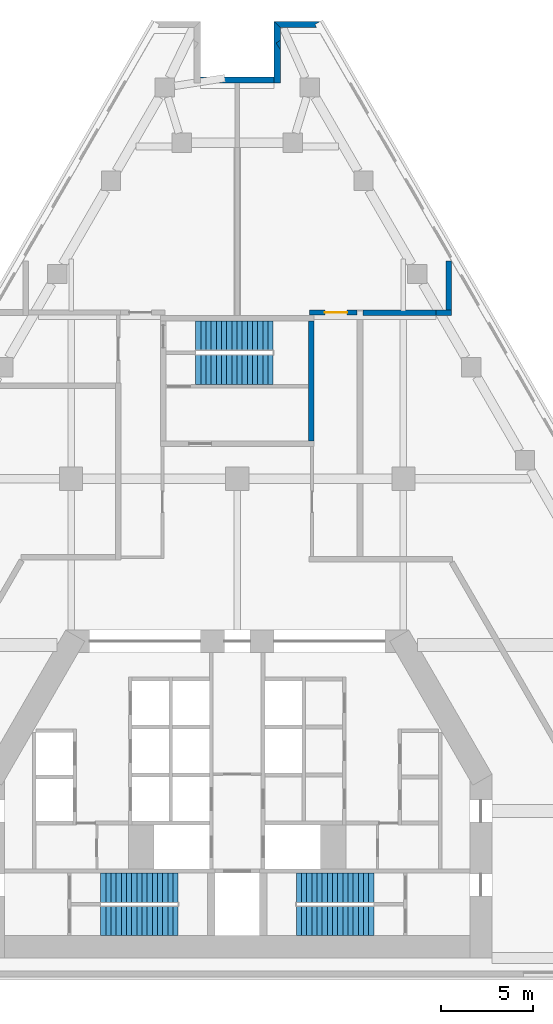
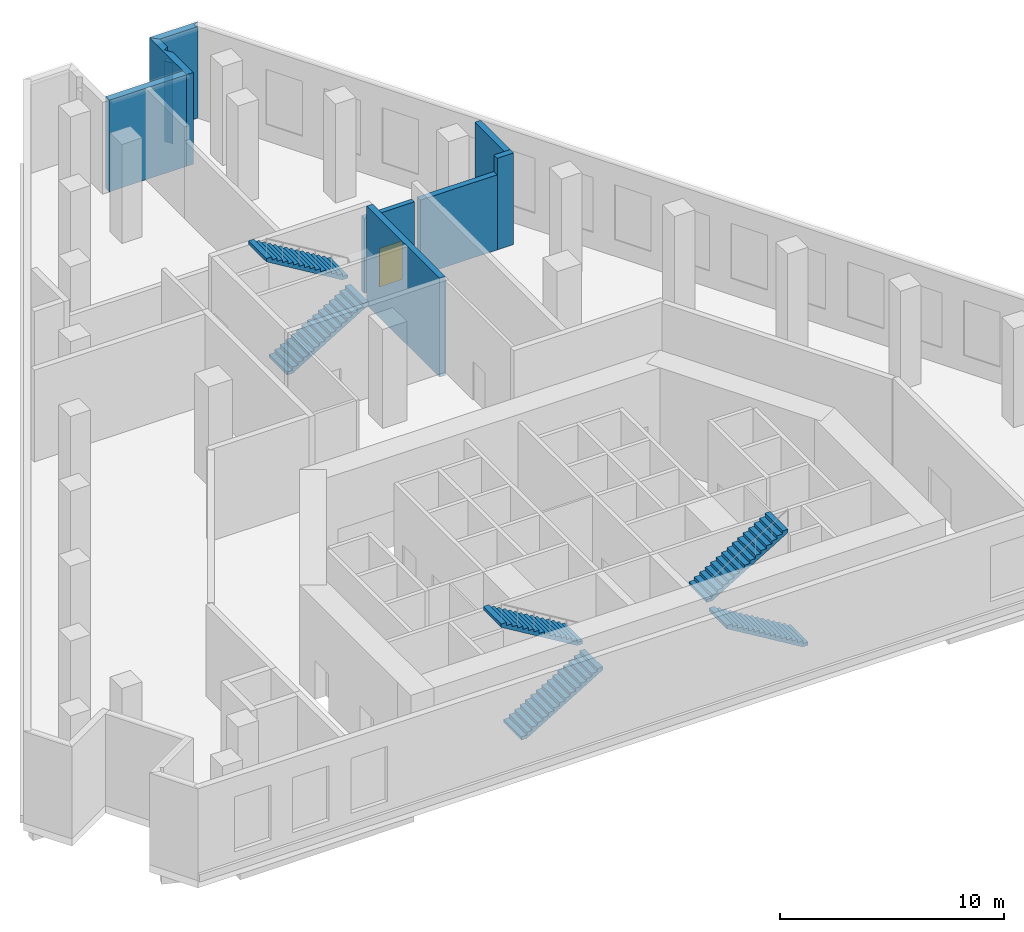
# One storey, part 9 of 10: 9 walls, 6 stair flights, 1 door, 1 opening, 3 elements without a shape of their own.
"""IFC4 building model written with IfcOpenShell, lengths in metres."""

from ifc_helpers import new_model, si_unit, direction, frame, frame_2d, origin, place, context, subcontext, project, spatial, polyline, rectangle, outline, extrude, material, layer, layer_set, type_object, element, fill, aggregate, save


model = new_model("IFC4")

# Units and contexts
model_context = context("Model", 3, precision=1e-05, world=origin(), true_north=direction((0.0, 1.0)))
body_context = subcontext(model_context, "Body", "Model", "MODEL_VIEW")
ifc_project = project(units=[si_unit("LENGTHUNIT", "METRE"), si_unit("AREAUNIT", "SQUARE_METRE"), si_unit("VOLUMEUNIT", "CUBIC_METRE"), si_unit("PLANEANGLEUNIT", "RADIAN"), si_unit("MASSUNIT", "GRAM", prefix="KILO")], contexts=[model_context])

# Site, building, storey
site_placement = place(None, origin())
site = spatial("IfcSite", under=ifc_project, at=site_placement, CompositionType="ELEMENT")
building_placement = place(site_placement, origin())
building = spatial("IfcBuilding", under=site, at=building_placement, Name="Fogline Exchange Tower", CompositionType="ELEMENT")
storey_placement = place(building_placement, frame((0.0, 0.0, 132.10009765625)))
storey = spatial("IfcBuildingStorey", under=building, at=storey_placement, Name="L29", CompositionType="ELEMENT", Elevation=132.10009765625)

# Walls
ifc_material_1 = material(Name="Concrete C40", Category="concrete")
ifc_layer_1 = layer(ifc_material_1, 0.300048828125)
ifc_layer_set_1 = layer_set([ifc_layer_1], Name="CW30")
wall_type_1 = type_object("IfcWallType", Name="CW30", PredefinedType="SOLIDWALL", material=ifc_layer_set_1)
wall_1_placement = place(storey_placement, frame((4.0, 29.056884765625, -0.400146484375), z_axis=(0.0, 0.0, 1.0), x_axis=(0.0, 1.0, 0.0)))
element("IfcWall", 1, at=wall_1_placement, inside=storey, type_object=wall_type_1, Name="Stair enclosure wall ST3", PredefinedType="SOLIDWALL", context=body_context, shape_type="SweptSolid", body=[
    extrude(rectangle(XDim=6.5, YDim=0.300048828125, at=frame_2d((3.25, 0.0))), origin(), (0.0, 0.0, 1.0), 5.400146484375),
])
ifc_material_2 = material(Name="Brick masonry", Category="masonry")
ifc_layer_2 = layer(ifc_material_2, 0.340087890625)
ifc_layer_set_2 = layer_set([ifc_layer_2], Name="FW3")
wall_type_2 = type_object("IfcWallType", Name="FW3", PredefinedType="SOLIDWALL", material=ifc_layer_set_2)
wall_2_placement = place(storey_placement, origin())
element("IfcWall", 2, at=wall_2_placement, inside=storey, type_object=wall_type_2, Name="Brick wall L29 N-c1", PredefinedType="SOLIDWALL", context=body_context, shape_type="SweptSolid", body=[
    extrude(outline(polyline([(1.9990234375, 51.77734375), (4.5009765625, 51.77734375), (4.501220703125, 51.776611328125), (4.206298828125, 51.6064453125), (4.3046875, 51.43603515625), (2.33984375, 51.43603515625), (1.998779296875, 51.77685546875), (1.9990234375, 51.77734375)])), origin(), (0.0, 0.0, 1.0), 5.0),
])
wall_3_placement = place(storey_placement, origin())
element("IfcWall", 3, at=wall_3_placement, inside=storey, type_object=wall_type_2, Name="Brick wall L29 N-s1", PredefinedType="SOLIDWALL", context=body_context, shape_type="SweptSolid", body=[
    extrude(outline(polyline([(2.340576171875, 50.24560546875), (2.10693359375, 50.602294921875), (2.340576171875, 50.75537109375), (2.340576171875, 50.24560546875)])), origin(), (0.0, 0.0, 1.0), 4.39990234375),
])
wall_4_placement = place(storey_placement, origin())
element("IfcWall", 4, at=wall_4_placement, inside=storey, type_object=wall_type_2, Name="Brick wall L29 N-s1", PredefinedType="SOLIDWALL", context=body_context, shape_type="SweptSolid", body=[
    extrude(outline(polyline([(1.99951171875, 48.43603515625), (1.99951171875, 51.777587890625), (1.999755859375, 51.77783203125), (2.340576171875, 51.43701171875), (2.340576171875, 50.75537109375), (2.10693359375, 50.602294921875), (2.340576171875, 50.24560546875), (2.340576171875, 48.43603515625), (1.99951171875, 48.43603515625)])), origin(), (0.0, 0.0, 1.0), 5.0),
])
wall_5_placement = place(storey_placement, frame((2.0, 48.606689453125, 0.0), z_axis=(0.0, 0.0, 1.0), x_axis=(-1.0, 0.0, 0.0)))
element("IfcWall", 5, at=wall_5_placement, inside=storey, type_object=wall_type_2, Name="Brick wall L29 N-bk", PredefinedType="SOLIDWALL", context=body_context, shape_type="SweptSolid", body=[
    extrude(rectangle(XDim=4.0, YDim=0.340087890625, at=frame_2d((2.0, 0.0))), origin(), (0.0, 0.0, 1.0), 5.0),
])

# Wall, opening, door
ifc_layer_3 = layer(ifc_material_1, 0.25)
ifc_layer_set_3 = layer_set([ifc_layer_3], Name="PP3")
wall_type_3 = type_object("IfcWallType", Name="PP3", PredefinedType="SOLIDWALL", material=ifc_layer_set_3)
wall_6_placement = place(storey_placement, frame((3.925048828125, 36.007080078125, 0.0), z_axis=(0.0, 0.0, 1.0), x_axis=(1.0, 0.0, 0.0)))
wall_6 = element("IfcWall", 6, at=wall_6_placement, inside=storey, type_object=wall_type_3, Name="PP3 partition", PredefinedType="SOLIDWALL", context=body_context, shape_type="SweptSolid", body=[
    extrude(rectangle(XDim=2.574951171875, YDim=0.25, at=frame_2d((1.28759765625, 0.0))), origin(), (0.0, 0.0, 1.0), 4.099853515625),
])
opening_placement = place(wall_6_placement, frame((0.824951171875, 0.0, 0.0)))
opening = element("IfcOpeningElement", 7, at=opening_placement, cuts=wall_6, Name="Opening L29-D005", PredefinedType="OPENING", context=body_context, shape_type="SweptSolid", body=[
    extrude(rectangle(XDim=1.199951171875, YDim=2.10009765625, at=frame_2d((0.60009765625, 1.050048828125))), frame((0.0, 0.135009765625, 0.0), z_axis=(0.0, -1.0, 0.0), x_axis=(1.0, 0.0, 0.0)), (0.0, 0.0, 1.0), 0.27001953125),
])
ifc_material_3 = material(Name="Steel Q235B", Category="steel")
door_type = type_object("IfcDoorType", Name="PD7", OperationType="SINGLE_SWING_LEFT", PredefinedType="DOOR", material=ifc_material_3)
door_placement = place(opening_placement, origin())
door = element("IfcDoor", 8, at=door_placement, inside=storey, type_object=door_type, Name="L29-D005", OperationType="SINGLE_SWING_RIGHT", OverallHeight=2.10009765625, OverallWidth=1.199951171875, PredefinedType="DOOR", context=body_context, shape_type="SweptSolid", body=[
    extrude(rectangle(XDim=1.199951171875, YDim=2.10009765625, at=frame_2d((0.60009765625, 1.050048828125))), frame((0.0, 0.02490234375, 0.0), z_axis=(0.0, -1.0, 0.0), x_axis=(1.0, 0.0, 0.0)), (0.0, 0.0, 1.0), 0.050048828125),
])
fill(opening, door)

# Walls
ifc_layer_4 = layer(ifc_material_1, 0.300048828125)
ifc_layer_set_4 = layer_set([ifc_layer_4], Name="PP4")
wall_type_4 = type_object("IfcWallType", Name="PP4", PredefinedType="SOLIDWALL", material=ifc_layer_set_4)
wall_7_placement = place(storey_placement, frame((11.60009765625, 36.006103515625, 0.0), z_axis=(0.0, 0.0, 1.0), x_axis=(-1.0, 0.0, 0.0)))
element("IfcWall", 9, at=wall_7_placement, inside=storey, type_object=wall_type_4, Name="PP4 partition", PredefinedType="SOLIDWALL", context=body_context, shape_type="SweptSolid", body=[
    extrude(rectangle(XDim=0.841796875, YDim=0.300048828125, at=frame_2d((0.4208984375, 0.0))), origin(), (0.0, 0.0, 1.0), 5.0),
])
wall_8_placement = place(storey_placement, frame((11.449951171875, 38.799072265625, 0.0), z_axis=(0.0, 0.0, 1.0), x_axis=(0.0, -1.0, 0.0)))
element("IfcWall", 10, at=wall_8_placement, inside=storey, type_object=wall_type_4, Name="PP4 partition", PredefinedType="SOLIDWALL", context=body_context, shape_type="SweptSolid", body=[
    extrude(rectangle(XDim=2.64306640625, YDim=0.300048828125, at=frame_2d((1.321533203125, 0.0))), origin(), (0.0, 0.0, 1.0), 5.0),
])
wall_9_placement = place(storey_placement, frame((10.75830078125, 36.006103515625, 0.0), z_axis=(0.0, 0.0, 1.0), x_axis=(-1.0, 0.0, 0.0)))
element("IfcWall", 11, at=wall_9_placement, inside=storey, type_object=wall_type_4, Name="PP4 partition", PredefinedType="SOLIDWALL", context=body_context, shape_type="SweptSolid", body=[
    extrude(rectangle(XDim=3.958251953125, YDim=0.300048828125, at=frame_2d((1.97900390625, 0.0))), origin(), (0.0, 0.0, 1.0), 4.099853515625),
])

# Stair, stair flights
stair_type = type_object("IfcStairType", Name="STR32-1688", PredefinedType="HALF_TURN_STAIR", material=ifc_material_1)
stair_1_placement = place(storey_placement, origin())
stair_1 = element("IfcStair", 12, at=stair_1_placement, inside=storey, type_object=stair_type, Name="Stair ST1", PredefinedType="HALF_TURN_STAIR")
stair_flight_type = type_object("IfcStairFlightType", Name="SF16-1688", PredefinedType="STRAIGHT", material=ifc_material_1)
stair_flight_1_placement = place(storey_placement, frame((-7.39990234375, 3.050048828125, 0.0), z_axis=(0.0, 0.0, 1.0), x_axis=(1.0, 0.0, 0.0)))
stair_flight_1 = element("IfcStairFlight", 13, at=stair_flight_1_placement, type_object=stair_flight_type, Name="ST1 flight 1", NumberOfRisers=16, NumberOfTreads=15, PredefinedType="STRAIGHT", RiserHeight=0.16875, TreadLength=0.28, context=body_context, shape_type="SweptSolid", body=[
    extrude(outline(polyline([(0.0, 0.0), (0.0, 0.168701171875), (0.280029296875, 0.168701171875), (0.280029296875, 0.33740234375), (0.56005859375, 0.33740234375), (0.56005859375, 0.50634765625), (0.840087890625, 0.50634765625), (0.840087890625, 0.675048828125), (1.1201171875, 0.675048828125), (1.1201171875, 0.84375), (1.39990234375, 0.84375), (1.39990234375, 1.012451171875), (1.679931640625, 1.012451171875), (1.679931640625, 1.18115234375), (1.9599609375, 1.18115234375), (1.9599609375, 1.35009765625), (2.239990234375, 1.35009765625), (2.239990234375, 1.518798828125), (2.52001953125, 1.518798828125), (2.52001953125, 1.6875), (2.800048828125, 1.6875), (2.800048828125, 1.856201171875), (3.080078125, 1.856201171875), (3.080078125, 2.02490234375), (3.360107421875, 2.02490234375), (3.360107421875, 2.19384765625), (3.639892578125, 2.19384765625), (3.639892578125, 2.362548828125), (3.919921875, 2.362548828125), (3.919921875, 2.53125), (4.199951171875, 2.53125), (4.199951171875, 2.699951171875), (4.199951171875, 2.356201171875), (0.29052734375, 0.0), (0.0, 0.0)])), frame((0.0, 0.800048828125, 0.0), z_axis=(0.0, -1.0, 0.0), x_axis=(1.0, 0.0, 0.0)), (0.0, 0.0, 1.0), 1.60009765625),
])
stair_flight_2_placement = place(storey_placement, frame((-3.199951171875, 4.85009765625, 2.699951171875), z_axis=(0.0, 0.0, 1.0), x_axis=(-1.0, 0.0, 0.0)))
stair_flight_2 = element("IfcStairFlight", 14, at=stair_flight_2_placement, type_object=stair_flight_type, Name="ST1 flight 2", NumberOfRisers=16, NumberOfTreads=15, PredefinedType="STRAIGHT", RiserHeight=0.16875, TreadLength=0.28, context=body_context, shape_type="SweptSolid", body=[
    extrude(outline(polyline([(0.0, 0.0), (0.0, 0.168701171875), (0.280029296875, 0.168701171875), (0.280029296875, 0.33740234375), (0.56005859375, 0.33740234375), (0.56005859375, 0.50634765625), (0.840087890625, 0.50634765625), (0.840087890625, 0.675048828125), (1.1201171875, 0.675048828125), (1.1201171875, 0.84375), (1.39990234375, 0.84375), (1.39990234375, 1.012451171875), (1.679931640625, 1.012451171875), (1.679931640625, 1.18115234375), (1.9599609375, 1.18115234375), (1.9599609375, 1.35009765625), (2.239990234375, 1.35009765625), (2.239990234375, 1.518798828125), (2.52001953125, 1.518798828125), (2.52001953125, 1.6875), (2.800048828125, 1.6875), (2.800048828125, 1.856201171875), (3.080078125, 1.856201171875), (3.080078125, 2.02490234375), (3.360107421875, 2.02490234375), (3.360107421875, 2.19384765625), (3.639892578125, 2.19384765625), (3.639892578125, 2.362548828125), (3.919921875, 2.362548828125), (3.919921875, 2.53125), (4.199951171875, 2.53125), (4.199951171875, 2.699951171875), (4.199951171875, 2.356201171875), (0.29052734375, 0.0), (0.0, 0.0)])), frame((0.0, 0.800048828125, 0.0), z_axis=(0.0, -1.0, 0.0), x_axis=(1.0, 0.0, 0.0)), (0.0, 0.0, 1.0), 1.60009765625),
])
aggregate(stair_1, [stair_flight_1, stair_flight_2])

stair_2_placement = place(storey_placement, origin())
stair_2 = element("IfcStair", 15, at=stair_2_placement, inside=storey, type_object=stair_type, Name="Stair ST2", PredefinedType="HALF_TURN_STAIR")
stair_flight_3_placement = place(storey_placement, frame((7.39990234375, 3.050048828125, 0.0), z_axis=(0.0, 0.0, 1.0), x_axis=(-1.0, 0.0, 0.0)))
stair_flight_3 = element("IfcStairFlight", 16, at=stair_flight_3_placement, type_object=stair_flight_type, Name="ST2 flight 1", NumberOfRisers=16, NumberOfTreads=15, PredefinedType="STRAIGHT", RiserHeight=0.16875, TreadLength=0.28, context=body_context, shape_type="SweptSolid", body=[
    extrude(outline(polyline([(0.0, 0.0), (0.0, 0.168701171875), (0.280029296875, 0.168701171875), (0.280029296875, 0.33740234375), (0.56005859375, 0.33740234375), (0.56005859375, 0.50634765625), (0.840087890625, 0.50634765625), (0.840087890625, 0.675048828125), (1.1201171875, 0.675048828125), (1.1201171875, 0.84375), (1.39990234375, 0.84375), (1.39990234375, 1.012451171875), (1.679931640625, 1.012451171875), (1.679931640625, 1.18115234375), (1.9599609375, 1.18115234375), (1.9599609375, 1.35009765625), (2.239990234375, 1.35009765625), (2.239990234375, 1.518798828125), (2.52001953125, 1.518798828125), (2.52001953125, 1.6875), (2.800048828125, 1.6875), (2.800048828125, 1.856201171875), (3.080078125, 1.856201171875), (3.080078125, 2.02490234375), (3.360107421875, 2.02490234375), (3.360107421875, 2.19384765625), (3.639892578125, 2.19384765625), (3.639892578125, 2.362548828125), (3.919921875, 2.362548828125), (3.919921875, 2.53125), (4.199951171875, 2.53125), (4.199951171875, 2.699951171875), (4.199951171875, 2.356201171875), (0.29052734375, 0.0), (0.0, 0.0)])), frame((0.0, 0.800048828125, 0.0), z_axis=(0.0, -1.0, 0.0), x_axis=(1.0, 0.0, 0.0)), (0.0, 0.0, 1.0), 1.60009765625),
])
stair_flight_4_placement = place(storey_placement, frame((3.199951171875, 4.85009765625, 2.699951171875), z_axis=(0.0, 0.0, 1.0), x_axis=(1.0, 0.0, 0.0)))
stair_flight_4 = element("IfcStairFlight", 17, at=stair_flight_4_placement, type_object=stair_flight_type, Name="ST2 flight 2", NumberOfRisers=16, NumberOfTreads=15, PredefinedType="STRAIGHT", RiserHeight=0.16875, TreadLength=0.28, context=body_context, shape_type="SweptSolid", body=[
    extrude(outline(polyline([(0.0, 0.0), (0.0, 0.168701171875), (0.280029296875, 0.168701171875), (0.280029296875, 0.33740234375), (0.56005859375, 0.33740234375), (0.56005859375, 0.50634765625), (0.840087890625, 0.50634765625), (0.840087890625, 0.675048828125), (1.1201171875, 0.675048828125), (1.1201171875, 0.84375), (1.39990234375, 0.84375), (1.39990234375, 1.012451171875), (1.679931640625, 1.012451171875), (1.679931640625, 1.18115234375), (1.9599609375, 1.18115234375), (1.9599609375, 1.35009765625), (2.239990234375, 1.35009765625), (2.239990234375, 1.518798828125), (2.52001953125, 1.518798828125), (2.52001953125, 1.6875), (2.800048828125, 1.6875), (2.800048828125, 1.856201171875), (3.080078125, 1.856201171875), (3.080078125, 2.02490234375), (3.360107421875, 2.02490234375), (3.360107421875, 2.19384765625), (3.639892578125, 2.19384765625), (3.639892578125, 2.362548828125), (3.919921875, 2.362548828125), (3.919921875, 2.53125), (4.199951171875, 2.53125), (4.199951171875, 2.699951171875), (4.199951171875, 2.356201171875), (0.29052734375, 0.0), (0.0, 0.0)])), frame((0.0, 0.800048828125, 0.0), z_axis=(0.0, -1.0, 0.0), x_axis=(1.0, 0.0, 0.0)), (0.0, 0.0, 1.0), 1.60009765625),
])
aggregate(stair_2, [stair_flight_3, stair_flight_4])

stair_3_placement = place(storey_placement, origin())
stair_3 = element("IfcStair", 18, at=stair_3_placement, inside=storey, type_object=stair_type, Name="Stair ST3", PredefinedType="HALF_TURN_STAIR")
stair_flight_5_placement = place(storey_placement, frame((-2.25, 32.906982421875, 0.0), z_axis=(0.0, 0.0, 1.0), x_axis=(1.0, 0.0, 0.0)))
stair_flight_5 = element("IfcStairFlight", 19, at=stair_flight_5_placement, type_object=stair_flight_type, Name="ST3 flight 1", NumberOfRisers=16, NumberOfTreads=15, PredefinedType="STRAIGHT", RiserHeight=0.16875, TreadLength=0.28, context=body_context, shape_type="SweptSolid", body=[
    extrude(outline(polyline([(0.0, 0.0), (0.0, 0.168701171875), (0.280029296875, 0.168701171875), (0.280029296875, 0.33740234375), (0.56005859375, 0.33740234375), (0.56005859375, 0.50634765625), (0.840087890625, 0.50634765625), (0.840087890625, 0.675048828125), (1.1201171875, 0.675048828125), (1.1201171875, 0.84375), (1.39990234375, 0.84375), (1.39990234375, 1.012451171875), (1.679931640625, 1.012451171875), (1.679931640625, 1.18115234375), (1.9599609375, 1.18115234375), (1.9599609375, 1.35009765625), (2.239990234375, 1.35009765625), (2.239990234375, 1.518798828125), (2.52001953125, 1.518798828125), (2.52001953125, 1.6875), (2.800048828125, 1.6875), (2.800048828125, 1.856201171875), (3.080078125, 1.856201171875), (3.080078125, 2.02490234375), (3.360107421875, 2.02490234375), (3.360107421875, 2.19384765625), (3.639892578125, 2.19384765625), (3.639892578125, 2.362548828125), (3.919921875, 2.362548828125), (3.919921875, 2.53125), (4.199951171875, 2.53125), (4.199951171875, 2.699951171875), (4.199951171875, 2.356201171875), (0.29052734375, 0.0), (0.0, 0.0)])), frame((0.0, 0.800048828125, 0.0), z_axis=(0.0, -1.0, 0.0), x_axis=(1.0, 0.0, 0.0)), (0.0, 0.0, 1.0), 1.60009765625),
])
stair_flight_6_placement = place(storey_placement, frame((1.949951171875, 34.757080078125, 2.699951171875), z_axis=(0.0, 0.0, 1.0), x_axis=(-1.0, 0.0, 0.0)))
stair_flight_6 = element("IfcStairFlight", 20, at=stair_flight_6_placement, type_object=stair_flight_type, Name="ST3 flight 2", NumberOfRisers=16, NumberOfTreads=15, PredefinedType="STRAIGHT", RiserHeight=0.16875, TreadLength=0.28, context=body_context, shape_type="SweptSolid", body=[
    extrude(outline(polyline([(0.0, 0.0), (0.0, 0.168701171875), (0.280029296875, 0.168701171875), (0.280029296875, 0.33740234375), (0.56005859375, 0.33740234375), (0.56005859375, 0.50634765625), (0.840087890625, 0.50634765625), (0.840087890625, 0.675048828125), (1.1201171875, 0.675048828125), (1.1201171875, 0.84375), (1.39990234375, 0.84375), (1.39990234375, 1.012451171875), (1.679931640625, 1.012451171875), (1.679931640625, 1.18115234375), (1.9599609375, 1.18115234375), (1.9599609375, 1.35009765625), (2.239990234375, 1.35009765625), (2.239990234375, 1.518798828125), (2.52001953125, 1.518798828125), (2.52001953125, 1.6875), (2.800048828125, 1.6875), (2.800048828125, 1.856201171875), (3.080078125, 1.856201171875), (3.080078125, 2.02490234375), (3.360107421875, 2.02490234375), (3.360107421875, 2.19384765625), (3.639892578125, 2.19384765625), (3.639892578125, 2.362548828125), (3.919921875, 2.362548828125), (3.919921875, 2.53125), (4.199951171875, 2.53125), (4.199951171875, 2.699951171875), (4.199951171875, 2.356201171875), (0.29052734375, 0.0), (0.0, 0.0)])), frame((0.0, 0.800048828125, 0.0), z_axis=(0.0, -1.0, 0.0), x_axis=(1.0, 0.0, 0.0)), (0.0, 0.0, 1.0), 1.60009765625),
])
aggregate(stair_3, [stair_flight_5, stair_flight_6])

save(model, "model.ifc")
